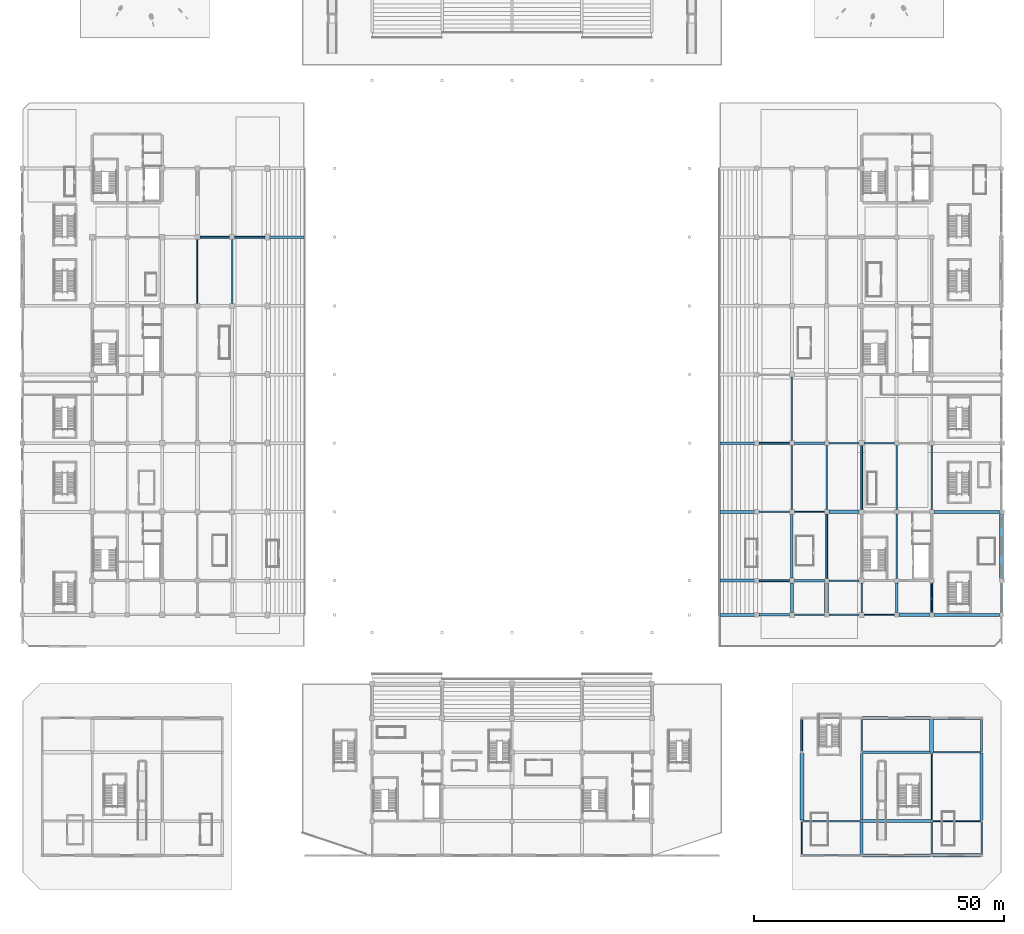
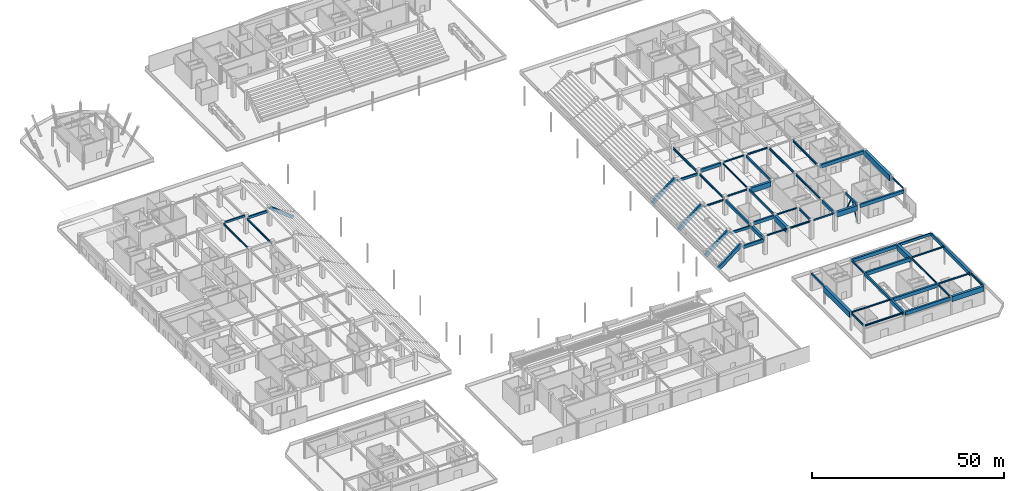
# One storey, part 24 of 73: 64 beams, 2 members.
"""IFC4 building model written with IfcOpenShell, lengths in metres."""

from ifc_helpers import new_model, si_unit, direction, frame, origin, origin_2d, place, context, subcontext, project, spatial, rectangle, hollow_rectangle, i_section, extrude, material, material_profile, profile_set, type_object, element, save


model = new_model("IFC4")

# Units and contexts
model_context = context("Model", 3, precision=1e-05, world=origin(), true_north=direction((0.0, 1.0)))
body_context = subcontext(model_context, "Body", "Model", "MODEL_VIEW")
ifc_project = project(units=[si_unit("LENGTHUNIT", "METRE"), si_unit("AREAUNIT", "SQUARE_METRE"), si_unit("VOLUMEUNIT", "CUBIC_METRE"), si_unit("PLANEANGLEUNIT", "RADIAN"), si_unit("MASSUNIT", "GRAM", prefix="KILO")], contexts=[model_context])

# Site, building, storey
site_placement = place(None, origin())
site = spatial("IfcSite", under=ifc_project, at=site_placement, CompositionType="ELEMENT")
building_placement = place(site_placement, origin())
building = spatial("IfcBuilding", under=site, at=building_placement, Name="Linyun Crest Stadium", CompositionType="ELEMENT")
storey_placement = place(building_placement, origin())
storey = spatial("IfcBuildingStorey", under=building, at=storey_placement, Name="L01", CompositionType="ELEMENT", Elevation=0.0)

# Beams
ifc_material_1 = material(Name="Concrete C40", Category="concrete")
ifc_material_profile_1 = material_profile(ifc_material_1, rectangle(XDim=0.35009765625, YDim=0.60009765625, at=origin_2d()), Name="RCB 600x350")
ifc_profile_set_1 = profile_set([ifc_material_profile_1], Name="Concrete C40")
beam_type_1 = type_object("IfcBeamType", Name="B01", PredefinedType="BEAM", material=ifc_profile_set_1)
beam_1_placement = place(storey_placement, frame((-62.5, 29.625, 5.47998046875), z_axis=(1.0, 0.0, 0.0), x_axis=(0.0, 1.0, 0.0)))
element("IfcBeam", 1, at=beam_1_placement, inside=storey, type_object=beam_type_1, Name="Frame beam B01 L01 126", PredefinedType="BEAM", context=body_context, shape_type="SweptSolid", body=[
    extrude(rectangle(XDim=0.35009765625, YDim=0.60009765625, at=origin_2d()), origin(), (0.0, 0.0, 1.0), 6.0),
])
ifc_material_2 = material(Name="Concrete C40", Category="concrete")
ifc_material_profile_2 = material_profile(ifc_material_2, rectangle(XDim=0.35009765625, YDim=0.64990234375, at=origin_2d()), Name="RCB 650x350")
ifc_profile_set_2 = profile_set([ifc_material_profile_2], Name="Concrete C40")
beam_type_2 = type_object("IfcBeamType", Name="B02", PredefinedType="BEAM", material=ifc_profile_set_2)
beam_2_placement = place(storey_placement, frame((63.0, -38.675048828125, 5.425048828125), z_axis=(0.0, 1.0, 0.0), x_axis=(-1.0, 0.0, 0.0)))
element("IfcBeam", 2, at=beam_2_placement, inside=storey, type_object=beam_type_2, Name="Frame beam B02 L01 520", PredefinedType="BEAM", context=body_context, shape_type="SweptSolid", body=[
    extrude(rectangle(XDim=0.35009765625, YDim=0.64990234375, at=origin_2d()), origin(), (0.0, 0.0, 1.0), 12.85009765625),
])
beam_3_placement = place(storey_placement, frame((70.0, -24.875, 5.425048828125), z_axis=(0.0, 1.0, 0.0), x_axis=(-1.0, 0.0, 0.0)))
element("IfcBeam", 3, at=beam_3_placement, inside=storey, type_object=beam_type_2, Name="Frame beam B02 L01 527", PredefinedType="BEAM", context=body_context, shape_type="SweptSolid", body=[
    extrude(rectangle(XDim=0.35009765625, YDim=0.64990234375, at=origin_2d()), origin(), (0.0, 0.0, 1.0), 12.75),
])
beam_4_placement = place(storey_placement, frame((84.0, -45.550048828125, 5.425048828125), z_axis=(0.0, 1.0, 0.0), x_axis=(-1.0, 0.0, 0.0)))
element("IfcBeam", 4, at=beam_4_placement, inside=storey, type_object=beam_type_2, Name="Frame beam B02 L01 537", PredefinedType="BEAM", context=body_context, shape_type="SweptSolid", body=[
    extrude(rectangle(XDim=0.35009765625, YDim=0.64990234375, at=origin_2d()), origin(), (0.0, 0.0, 1.0), 5.97509765625),
])
beam_5_placement = place(storey_placement, frame((58.0, -73.324951171875, 5.47509765625), z_axis=(0.0, 1.0, 0.0), x_axis=(-1.0, 0.0, 0.0)))
element("IfcBeam", 5, at=beam_5_placement, inside=storey, type_object=beam_type_2, Name="Frame beam B02 L01 1071", PredefinedType="BEAM", context=body_context, shape_type="SweptSolid", body=[
    extrude(rectangle(XDim=0.35009765625, YDim=0.64990234375, at=origin_2d()), origin(), (0.0, 0.0, 1.0), 6.5),
])
ifc_material_3 = material(Name="Concrete C40", Category="concrete")
ifc_material_profile_3 = material_profile(ifc_material_3, rectangle(XDim=0.39990234375, YDim=0.75, at=origin_2d()), Name="RCB 750x400")
ifc_profile_set_3 = profile_set([ifc_material_profile_3], Name="Concrete C40")
beam_type_3 = type_object("IfcBeamType", Name="B03", PredefinedType="BEAM", material=ifc_profile_set_3)
for number, where, z_axis, x_axis, name in (
    (6, (-55.5, 29.625, 4.554931640625), (1.0, 0.0, 0.0), (0.0, 1.0, 0.0), "Frame beam B03 L01 127"),
    (7, (49.449951171875, -39.125, 4.52490234375), (1.0, 0.0, 0.0), (0.0, 1.0, 0.0), "Frame beam B03 L01 481"),
    (8, (49.449951171875, -11.625, 4.52490234375), (1.0, 0.0, 0.0), (0.0, 1.0, 0.0), "Frame beam B03 L01 488"),
):
    element("IfcBeam", number, at=place(storey_placement, frame(where, z_axis=z_axis, x_axis=x_axis)), inside=storey, type_object=beam_type_3, Name=name, PredefinedType="BEAM", context=body_context, shape_type="SweptSolid", body=[
        extrude(rectangle(XDim=0.39990234375, YDim=0.75, at=origin_2d()), origin(), (0.0, 0.0, 1.0), 6.050048828125),
    ])
beam_6_placement = place(storey_placement, frame((84.199951171875, -66.625, 5.425048828125), z_axis=(1.0, 0.0, 0.0), x_axis=(0.0, 1.0, 0.0)))
element("IfcBeam", 9, at=beam_6_placement, inside=storey, type_object=beam_type_3, Name="Frame beam B03 L01 1056", PredefinedType="BEAM", context=body_context, shape_type="SweptSolid", body=[
    extrude(rectangle(XDim=0.39990234375, YDim=0.75, at=origin_2d()), origin(), (0.0, 0.0, 1.0), 9.60009765625),
])
ifc_material_4 = material(Name="Concrete C40", Category="concrete")
ifc_material_profile_4 = material_profile(ifc_material_4, rectangle(XDim=0.449951171875, YDim=0.85009765625, at=origin_2d()), Name="RCB 850x450")
ifc_profile_set_4 = profile_set([ifc_material_profile_4], Name="Concrete C40")
beam_type_4 = type_object("IfcBeamType", Name="B04", PredefinedType="BEAM", material=ifc_profile_set_4)
beam_7_placement = place(storey_placement, frame((56.0, -38.625, 4.47509765625), z_axis=(0.0, 1.0, 0.0), x_axis=(-1.0, 0.0, 0.0)))
element("IfcBeam", 10, at=beam_7_placement, inside=storey, type_object=beam_type_4, Name="Frame beam B04 L01 513", PredefinedType="BEAM", context=body_context, shape_type="SweptSolid", body=[
    extrude(rectangle(XDim=0.449951171875, YDim=0.85009765625, at=origin_2d()), origin(), (0.0, 0.0, 1.0), 12.75),
])
beam_8_placement = place(storey_placement, frame((77.0, -45.550048828125, 5.324951171875), z_axis=(0.0, 1.0, 0.0), x_axis=(-1.0, 0.0, 0.0)))
element("IfcBeam", 11, at=beam_8_placement, inside=storey, type_object=beam_type_4, Name="Frame beam B04 L01 530", PredefinedType="BEAM", context=body_context, shape_type="SweptSolid", body=[
    extrude(rectangle(XDim=0.449951171875, YDim=0.85009765625, at=origin_2d()), origin(), (0.0, 0.0, 1.0), 5.97509765625),
])
beam_9_placement = place(storey_placement, frame((70.0, -87.074951171875, 5.375), z_axis=(0.0, 1.0, 0.0), x_axis=(-1.0, 0.0, 0.0)))
element("IfcBeam", 12, at=beam_9_placement, inside=storey, type_object=beam_type_4, Name="Frame beam B04 L01 1073", PredefinedType="BEAM", context=body_context, shape_type="SweptSolid", body=[
    extrude(rectangle(XDim=0.449951171875, YDim=0.85009765625, at=origin_2d()), origin(), (0.0, 0.0, 1.0), 13.39990234375),
])
beam_10_placement = place(storey_placement, frame((94.0, -73.375, 5.375), z_axis=(0.0, 1.0, 0.0), x_axis=(-1.0, 0.0, 0.0)))
element("IfcBeam", 13, at=beam_10_placement, inside=storey, type_object=beam_type_4, Name="Frame beam B04 L01 1080", PredefinedType="BEAM", context=body_context, shape_type="SweptSolid", body=[
    extrude(rectangle(XDim=0.449951171875, YDim=0.85009765625, at=origin_2d()), origin(), (0.0, 0.0, 1.0), 6.550048828125),
])
ifc_material_5 = material(Name="Concrete C40", Category="concrete")
ifc_material_profile_5 = material_profile(ifc_material_5, rectangle(XDim=0.5, YDim=1.0, at=origin_2d()), Name="RCB 1000x500")
ifc_profile_set_5 = profile_set([ifc_material_profile_5], Name="Concrete C40")
beam_type_5 = type_object("IfcBeamType", Name="B05", PredefinedType="BEAM", material=ifc_profile_set_5)
for number, where, z_axis, x_axis, name in (
    (14, (49.449951171875, -46.0, 4.39990234375), (1.0, 0.0, 0.0), (0.0, 1.0, 0.0), "Frame beam B05 L01 475"),
    (15, (56.5, -39.125, 5.25), (1.0, 0.0, 0.0), (0.0, 1.0, 0.0), "Frame beam B05 L01 482"),
    (16, (56.5, -11.625, 5.25), (1.0, 0.0, 0.0), (0.0, 1.0, 0.0), "Frame beam B05 L01 489"),
):
    element("IfcBeam", number, at=place(storey_placement, frame(where, z_axis=z_axis, x_axis=x_axis)), inside=storey, type_object=beam_type_5, Name=name, PredefinedType="BEAM", context=body_context, shape_type="SweptSolid", body=[
        extrude(rectangle(XDim=0.5, YDim=1.0, at=origin_2d()), origin(), (0.0, 0.0, 1.0), 6.050048828125),
    ])
ifc_material_6 = material(Name="Steel Q355C", Category="steel")
ifc_material_profile_6 = material_profile(ifc_material_6, i_section(OverallWidth=0.300048828125, OverallDepth=0.389892578125, WebThickness=0.010009765625, FlangeThickness=0.01611328125, at=origin_2d()), Name="HM 390x300")
ifc_profile_set_6 = profile_set([ifc_material_profile_6], Name="Steel Q355C")
beam_type_6 = type_object("IfcBeamType", Name="B06", PredefinedType="BEAM", material=ifc_profile_set_6)
for number, where, z_axis, x_axis, name in (
    (17, (56.5, -46.0, 5.554931640625), (1.0, 0.0, 0.0), (0.0, 1.0, 0.0), "Frame beam B06 L01 476"),
    (18, (63.449951171875, -39.125, 5.554931640625), (1.0, 0.0, 0.0), (0.0, 1.0, 0.0), "Frame beam B06 L01 483"),
    (19, (63.449951171875, -11.625, 5.554931640625), (1.0, 0.0, 0.0), (0.0, 1.0, 0.0), "Frame beam B06 L01 490"),
):
    element("IfcBeam", number, at=place(storey_placement, frame(where, z_axis=z_axis, x_axis=x_axis)), inside=storey, type_object=beam_type_6, Name=name, PredefinedType="BEAM", context=body_context, shape_type="SweptSolid", body=[
        extrude(i_section(OverallWidth=0.300048828125, OverallDepth=0.389892578125, WebThickness=0.010009765625, FlangeThickness=0.01611328125, at=origin_2d()), origin(), (0.0, 0.0, 1.0), 6.050048828125),
    ])
beam_11_placement = place(storey_placement, frame((58.175048828125, -87.25, 5.60498046875), z_axis=(1.0, 0.0, 0.0), x_axis=(0.0, 1.0, 0.0)))
element("IfcBeam", 20, at=beam_11_placement, inside=storey, type_object=beam_type_6, Name="Frame beam B06 L01 1044", PredefinedType="BEAM", context=body_context, shape_type="SweptSolid", body=[
    extrude(i_section(OverallWidth=0.300048828125, OverallDepth=0.389892578125, WebThickness=0.010009765625, FlangeThickness=0.01611328125, at=origin_2d()), origin(), (0.0, 0.0, 1.0), 11.64990234375),
])
beam_12_placement = place(storey_placement, frame((84.175048828125, -73.5, 5.60498046875), z_axis=(1.0, 0.0, 0.0), x_axis=(0.0, 1.0, 0.0)))
element("IfcBeam", 21, at=beam_12_placement, inside=storey, type_object=beam_type_6, Name="Frame beam B06 L01 1051", PredefinedType="BEAM", context=body_context, shape_type="SweptSolid", body=[
    extrude(i_section(OverallWidth=0.300048828125, OverallDepth=0.389892578125, WebThickness=0.010009765625, FlangeThickness=0.01611328125, at=origin_2d()), origin(), (0.0, 0.0, 1.0), 9.699951171875),
])
ifc_material_7 = material(Name="Steel Q355C", Category="steel")
ifc_material_profile_7 = material_profile(ifc_material_7, i_section(OverallWidth=0.300048828125, OverallDepth=0.43994140625, WebThickness=0.010986328125, FlangeThickness=0.01806640625, at=origin_2d()), Name="HM 440x300")
ifc_profile_set_7 = profile_set([ifc_material_profile_7], Name="Steel Q355C")
beam_type_7 = type_object("IfcBeamType", Name="B07", PredefinedType="BEAM", material=ifc_profile_set_7)
beam_13_placement = place(storey_placement, frame((63.0, -24.925048828125, 5.530029296875), z_axis=(0.0, 1.0, 0.0), x_axis=(-1.0, 0.0, 0.0)))
element("IfcBeam", 22, at=beam_13_placement, inside=storey, type_object=beam_type_7, Name="Frame beam B07 L01 521", PredefinedType="BEAM", context=body_context, shape_type="SweptSolid", body=[
    extrude(i_section(OverallWidth=0.300048828125, OverallDepth=0.43994140625, WebThickness=0.010986328125, FlangeThickness=0.01806640625, at=origin_2d()), origin(), (0.0, 0.0, 1.0), 12.85009765625),
])
beam_14_placement = place(storey_placement, frame((84.0, -93.925048828125, 5.580078125), z_axis=(0.0, 1.0, 0.0), x_axis=(-1.0, 0.0, 0.0)))
element("IfcBeam", 23, at=beam_14_placement, inside=storey, type_object=beam_type_7, Name="Frame beam B07 L01 1075", PredefinedType="BEAM", context=body_context, shape_type="SweptSolid", body=[
    extrude(i_section(OverallWidth=0.300048828125, OverallDepth=0.43994140625, WebThickness=0.010986328125, FlangeThickness=0.01806640625, at=origin_2d()), origin(), (0.0, 0.0, 1.0), 6.5),
])
ifc_material_8 = material(Name="Steel Q355C", Category="steel")
ifc_material_profile_8 = material_profile(ifc_material_8, i_section(OverallWidth=0.300048828125, OverallDepth=0.488037109375, WebThickness=0.010986328125, FlangeThickness=0.01806640625, at=origin_2d()), Name="HM 488x300")
ifc_profile_set_8 = profile_set([ifc_material_profile_8], Name="Steel Q355C")
beam_type_8 = type_object("IfcBeamType", Name="B08", PredefinedType="BEAM", material=ifc_profile_set_8)
for number, where, z_axis, x_axis, name in (
    (24, (63.449951171875, -46.0, 5.506103515625), (1.0, 0.0, 0.0), (0.0, 1.0, 0.0), "Frame beam B08 L01 477"),
    (25, (49.449951171875, -25.375, 4.656005859375), (1.0, 0.0, 0.0), (0.0, 1.0, 0.0), "Frame beam B08 L01 484"),
    (26, (70.5, -11.625, 5.506103515625), (1.0, 0.0, 0.0), (0.0, 1.0, 0.0), "Frame beam B08 L01 491"),
):
    element("IfcBeam", number, at=place(storey_placement, frame(where, z_axis=z_axis, x_axis=x_axis)), inside=storey, type_object=beam_type_8, Name=name, PredefinedType="BEAM", context=body_context, shape_type="SweptSolid", body=[
        extrude(i_section(OverallWidth=0.300048828125, OverallDepth=0.488037109375, WebThickness=0.010986328125, FlangeThickness=0.01806640625, at=origin_2d()), origin(), (0.0, 0.0, 1.0), 6.050048828125),
    ])
beam_15_placement = place(storey_placement, frame((58.199951171875, -94.125, 5.555908203125), z_axis=(1.0, 0.0, 0.0), x_axis=(0.0, 1.0, 0.0)))
element("IfcBeam", 27, at=beam_15_placement, inside=storey, type_object=beam_type_8, Name="Frame beam B08 L01 1038", PredefinedType="BEAM", context=body_context, shape_type="SweptSolid", body=[
    extrude(i_section(OverallWidth=0.300048828125, OverallDepth=0.488037109375, WebThickness=0.010986328125, FlangeThickness=0.01806640625, at=origin_2d()), origin(), (0.0, 0.0, 1.0), 11.60009765625),
])
ifc_material_9 = material(Name="Steel Q355C", Category="steel")
ifc_material_profile_9 = material_profile(ifc_material_9, i_section(OverallWidth=0.300048828125, OverallDepth=0.587890625, WebThickness=0.011962890625, FlangeThickness=0.02001953125, at=origin_2d()), Name="HM 588x300")
ifc_profile_set_9 = profile_set([ifc_material_profile_9], Name="Steel Q355C")
beam_type_9 = type_object("IfcBeamType", Name="B09", PredefinedType="BEAM", material=ifc_profile_set_9)
for number, where, z_axis, x_axis, name in (
    (28, (-56.0, 16.375, 4.635986328125), (0.0, 1.0, 0.0), (-1.0, 0.0, 0.0), "Frame beam B09 L01 167"),
    (29, (56.0, -24.875, 4.60595703125), (0.0, 1.0, 0.0), (-1.0, 0.0, 0.0), "Frame beam B09 L01 514"),
):
    element("IfcBeam", number, at=place(storey_placement, frame(where, z_axis=z_axis, x_axis=x_axis)), inside=storey, type_object=beam_type_9, Name=name, PredefinedType="BEAM", context=body_context, shape_type="SweptSolid", body=[
        extrude(i_section(OverallWidth=0.300048828125, OverallDepth=0.587890625, WebThickness=0.011962890625, FlangeThickness=0.02001953125, at=origin_2d()), origin(), (0.0, 0.0, 1.0), 12.75),
    ])
for number, where, z_axis, x_axis, name in (
    (30, (77.0, -38.675048828125, 5.4560546875), (0.0, 1.0, 0.0), (-1.0, 0.0, 0.0), "Frame beam B09 L01 531"),
    (31, (84.0, -24.925048828125, 5.4560546875), (0.0, 1.0, 0.0), (-1.0, 0.0, 0.0), "Frame beam B09 L01 538"),
):
    element("IfcBeam", number, at=place(storey_placement, frame(where, z_axis=z_axis, x_axis=x_axis)), inside=storey, type_object=beam_type_9, Name=name, PredefinedType="BEAM", context=body_context, shape_type="SweptSolid", body=[
        extrude(i_section(OverallWidth=0.300048828125, OverallDepth=0.587890625, WebThickness=0.011962890625, FlangeThickness=0.02001953125, at=origin_2d()), origin(), (0.0, 0.0, 1.0), 12.85009765625),
    ])
beam_16_placement = place(storey_placement, frame((70.0, -73.324951171875, 5.506103515625), z_axis=(0.0, 1.0, 0.0), x_axis=(-1.0, 0.0, 0.0)))
element("IfcBeam", 32, at=beam_16_placement, inside=storey, type_object=beam_type_9, Name="Frame beam B09 L01 1074", PredefinedType="BEAM", context=body_context, shape_type="SweptSolid", body=[
    extrude(i_section(OverallWidth=0.300048828125, OverallDepth=0.587890625, WebThickness=0.011962890625, FlangeThickness=0.02001953125, at=origin_2d()), origin(), (0.0, 0.0, 1.0), 6.5),
])
ifc_material_10 = material(Name="Steel Q355C", Category="steel")
ifc_material_profile_10 = material_profile(ifc_material_10, i_section(OverallWidth=0.199951171875, OverallDepth=0.5, WebThickness=0.010009765625, FlangeThickness=0.01611328125, at=origin_2d()), Name="HN 500x200")
ifc_profile_set_10 = profile_set([ifc_material_profile_10], Name="Steel Q355C")
beam_type_10 = type_object("IfcBeamType", Name="B10", PredefinedType="BEAM", material=ifc_profile_set_10)
for number, where, z_axis, x_axis, name in (
    (33, (70.5, -46.0, 5.5), (1.0, 0.0, 0.0), (0.0, 1.0, 0.0), "Frame beam B10 L01 478"),
    (34, (56.5, -25.375, 5.5), (1.0, 0.0, 0.0), (0.0, 1.0, 0.0), "Frame beam B10 L01 485"),
):
    element("IfcBeam", number, at=place(storey_placement, frame(where, z_axis=z_axis, x_axis=x_axis)), inside=storey, type_object=beam_type_10, Name=name, PredefinedType="BEAM", context=body_context, shape_type="SweptSolid", body=[
        extrude(i_section(OverallWidth=0.199951171875, OverallDepth=0.5, WebThickness=0.010009765625, FlangeThickness=0.01611328125, at=origin_2d()), origin(), (0.0, 0.0, 1.0), 6.050048828125),
    ])
beam_17_placement = place(storey_placement, frame((84.175048828125, -87.25, 5.550048828125), z_axis=(1.0, 0.0, 0.0), x_axis=(0.0, 1.0, 0.0)))
element("IfcBeam", 35, at=beam_17_placement, inside=storey, type_object=beam_type_10, Name="Frame beam B10 L01 1046", PredefinedType="BEAM", context=body_context, shape_type="SweptSolid", body=[
    extrude(i_section(OverallWidth=0.199951171875, OverallDepth=0.5, WebThickness=0.010009765625, FlangeThickness=0.01611328125, at=origin_2d()), origin(), (0.0, 0.0, 1.0), 9.699951171875),
])
ifc_material_11 = material(Name="Steel Q355C", Category="steel")
ifc_material_profile_11 = material_profile(ifc_material_11, i_section(OverallWidth=0.199951171875, OverallDepth=0.60009765625, WebThickness=0.010986328125, FlangeThickness=0.01708984375, at=origin_2d()), Name="HN 600x200")
ifc_profile_set_11 = profile_set([ifc_material_profile_11], Name="Steel Q355C")
beam_type_11 = type_object("IfcBeamType", Name="B11", PredefinedType="BEAM", material=ifc_profile_set_11)
beam_18_placement = place(storey_placement, frame((-63.0, 16.375, 5.47998046875), z_axis=(0.0, 1.0, 0.0), x_axis=(-1.0, 0.0, 0.0)))
element("IfcBeam", 36, at=beam_18_placement, inside=storey, type_object=beam_type_11, Name="Frame beam B11 L01 160", PredefinedType="BEAM", context=body_context, shape_type="SweptSolid", body=[
    extrude(i_section(OverallWidth=0.199951171875, OverallDepth=0.60009765625, WebThickness=0.010986328125, FlangeThickness=0.01708984375, at=origin_2d()), origin(), (0.0, 0.0, 1.0), 12.75),
])
beam_19_placement = place(storey_placement, frame((98.0, -45.550048828125, 5.449951171875), z_axis=(0.0, 1.0, 0.0), x_axis=(-1.0, 0.0, 0.0)))
element("IfcBeam", 37, at=beam_19_placement, inside=storey, type_object=beam_type_11, Name="Frame beam B11 L01 541", PredefinedType="BEAM", context=body_context, shape_type="SweptSolid", body=[
    extrude(i_section(OverallWidth=0.199951171875, OverallDepth=0.60009765625, WebThickness=0.010986328125, FlangeThickness=0.01708984375, at=origin_2d()), origin(), (0.0, 0.0, 1.0), 5.97509765625),
])
beam_20_placement = place(storey_placement, frame((58.0, -93.925048828125, 5.5), z_axis=(0.0, 1.0, 0.0), x_axis=(-1.0, 0.0, 0.0)))
element("IfcBeam", 38, at=beam_20_placement, inside=storey, type_object=beam_type_11, Name="Frame beam B11 L01 1069", PredefinedType="BEAM", context=body_context, shape_type="SweptSolid", body=[
    extrude(i_section(OverallWidth=0.199951171875, OverallDepth=0.60009765625, WebThickness=0.010986328125, FlangeThickness=0.01708984375, at=origin_2d()), origin(), (0.0, 0.0, 1.0), 6.5),
])
beam_21_placement = place(storey_placement, frame((84.0, -87.074951171875, 5.5), z_axis=(0.0, 1.0, 0.0), x_axis=(-1.0, 0.0, 0.0)))
element("IfcBeam", 39, at=beam_21_placement, inside=storey, type_object=beam_type_11, Name="Frame beam B11 L01 1076", PredefinedType="BEAM", context=body_context, shape_type="SweptSolid", body=[
    extrude(i_section(OverallWidth=0.199951171875, OverallDepth=0.60009765625, WebThickness=0.010986328125, FlangeThickness=0.01708984375, at=origin_2d()), origin(), (0.0, 0.0, 1.0), 13.39990234375),
])
ifc_material_12 = material(Name="Steel Q355C", Category="steel")
ifc_material_profile_12 = material_profile(ifc_material_12, i_section(OverallWidth=0.300048828125, OverallDepth=0.699951171875, WebThickness=0.012939453125, FlangeThickness=0.02392578125, at=origin_2d()), Name="HN 700x300")
ifc_profile_set_12 = profile_set([ifc_material_profile_12], Name="Steel Q355C")
beam_type_12 = type_object("IfcBeamType", Name="B12", PredefinedType="BEAM", material=ifc_profile_set_12)
beam_22_placement = place(storey_placement, frame((56.0, -11.125, 4.550048828125), z_axis=(0.0, 1.0, 0.0), x_axis=(-1.0, 0.0, 0.0)))
element("IfcBeam", 40, at=beam_22_placement, inside=storey, type_object=beam_type_12, Name="Frame beam B12 L01 515", PredefinedType="BEAM", context=body_context, shape_type="SweptSolid", body=[
    extrude(i_section(OverallWidth=0.300048828125, OverallDepth=0.699951171875, WebThickness=0.012939453125, FlangeThickness=0.02392578125, at=origin_2d()), origin(), (0.0, 0.0, 1.0), 12.75),
])
beam_23_placement = place(storey_placement, frame((70.0, -45.5, 5.39990234375), z_axis=(0.0, 1.0, 0.0), x_axis=(-1.0, 0.0, 0.0)))
element("IfcBeam", 41, at=beam_23_placement, inside=storey, type_object=beam_type_12, Name="Frame beam B12 L01 526", PredefinedType="BEAM", context=body_context, shape_type="SweptSolid", body=[
    extrude(i_section(OverallWidth=0.300048828125, OverallDepth=0.699951171875, WebThickness=0.012939453125, FlangeThickness=0.02392578125, at=origin_2d()), origin(), (0.0, 0.0, 1.0), 5.875),
])
beam_24_placement = place(storey_placement, frame((77.0, -24.925048828125, 5.39990234375), z_axis=(0.0, 1.0, 0.0), x_axis=(-1.0, 0.0, 0.0)))
element("IfcBeam", 42, at=beam_24_placement, inside=storey, type_object=beam_type_12, Name="Frame beam B12 L01 532", PredefinedType="BEAM", context=body_context, shape_type="SweptSolid", body=[
    extrude(i_section(OverallWidth=0.300048828125, OverallDepth=0.699951171875, WebThickness=0.012939453125, FlangeThickness=0.02392578125, at=origin_2d()), origin(), (0.0, 0.0, 1.0), 12.85009765625),
])
beam_25_placement = place(storey_placement, frame((94.0, -93.925048828125, 5.449951171875), z_axis=(0.0, 1.0, 0.0), x_axis=(-1.0, 0.0, 0.0)))
element("IfcBeam", 43, at=beam_25_placement, inside=storey, type_object=beam_type_12, Name="Frame beam B12 L01 1078", PredefinedType="BEAM", context=body_context, shape_type="SweptSolid", body=[
    extrude(i_section(OverallWidth=0.300048828125, OverallDepth=0.699951171875, WebThickness=0.012939453125, FlangeThickness=0.02392578125, at=origin_2d()), origin(), (0.0, 0.0, 1.0), 6.550048828125),
])
ifc_material_13 = material(Name="Concrete C50", Category="concrete")
ifc_material_profile_13 = material_profile(ifc_material_13, rectangle(XDim=0.699951171875, YDim=1.60009765625, at=origin_2d()), Name="RCB 1600x700")
ifc_profile_set_13 = profile_set([ifc_material_profile_13], Name="Concrete C50")
beam_type_13 = type_object("IfcBeamType", Name="B13", PredefinedType="BEAM", material=ifc_profile_set_13)
beam_26_placement = place(storey_placement, frame((77.449951171875, -46.0, 4.949951171875), z_axis=(1.0, 0.0, 0.0), x_axis=(0.0, 1.0, 0.0)))
element("IfcBeam", 44, at=beam_26_placement, inside=storey, type_object=beam_type_13, Name="Frame beam B13 L01 479", PredefinedType="BEAM", context=body_context, shape_type="SweptSolid", body=[
    extrude(rectangle(XDim=0.699951171875, YDim=1.60009765625, at=origin_2d()), origin(), (0.0, 0.0, 1.0), 6.10009765625),
])
beam_27_placement = place(storey_placement, frame((63.449951171875, -25.375, 4.949951171875), z_axis=(1.0, 0.0, 0.0), x_axis=(0.0, 1.0, 0.0)))
element("IfcBeam", 45, at=beam_27_placement, inside=storey, type_object=beam_type_13, Name="Frame beam B13 L01 486", PredefinedType="BEAM", context=body_context, shape_type="SweptSolid", body=[
    extrude(rectangle(XDim=0.699951171875, YDim=1.60009765625, at=origin_2d()), origin(), (0.0, 0.0, 1.0), 6.050048828125),
])
beam_28_placement = place(storey_placement, frame((84.199951171875, -94.125, 5.0), z_axis=(1.0, 0.0, 0.0), x_axis=(0.0, 1.0, 0.0)))
element("IfcBeam", 46, at=beam_28_placement, inside=storey, type_object=beam_type_13, Name="Frame beam B13 L01 1040", PredefinedType="BEAM", context=body_context, shape_type="SweptSolid", body=[
    extrude(rectangle(XDim=0.699951171875, YDim=1.60009765625, at=origin_2d()), origin(), (0.0, 0.0, 1.0), 9.60009765625),
])
ifc_material_14 = material(Name="Concrete C50", Category="concrete")
ifc_material_profile_14 = material_profile(ifc_material_14, rectangle(XDim=0.800048828125, YDim=1.800048828125, at=origin_2d()), Name="RCB 1800x800")
ifc_profile_set_14 = profile_set([ifc_material_profile_14], Name="Concrete C50")
beam_type_14 = type_object("IfcBeamType", Name="B14", PredefinedType="BEAM", material=ifc_profile_set_14)
beam_29_placement = place(storey_placement, frame((63.0, -45.550048828125, 4.85009765625), z_axis=(0.0, 1.0, 0.0), x_axis=(-1.0, 0.0, 0.0)))
element("IfcBeam", 47, at=beam_29_placement, inside=storey, type_object=beam_type_14, Name="Frame beam B14 L01 519", PredefinedType="BEAM", context=body_context, shape_type="SweptSolid", body=[
    extrude(rectangle(XDim=0.800048828125, YDim=1.800048828125, at=origin_2d()), origin(), (0.0, 0.0, 1.0), 5.97509765625),
])
beam_30_placement = place(storey_placement, frame((98.0, -38.675048828125, 4.85009765625), z_axis=(0.0, 1.0, 0.0), x_axis=(-1.0, 0.0, 0.0)))
element("IfcBeam", 48, at=beam_30_placement, inside=storey, type_object=beam_type_14, Name="Frame beam B14 L01 542", PredefinedType="BEAM", context=body_context, shape_type="SweptSolid", body=[
    extrude(rectangle(XDim=0.800048828125, YDim=1.800048828125, at=origin_2d()), origin(), (0.0, 0.0, 1.0), 12.85009765625),
])
beam_31_placement = place(storey_placement, frame((58.0, -87.074951171875, 4.89990234375), z_axis=(0.0, 1.0, 0.0), x_axis=(-1.0, 0.0, 0.0)))
element("IfcBeam", 49, at=beam_31_placement, inside=storey, type_object=beam_type_14, Name="Frame beam B14 L01 1070", PredefinedType="BEAM", context=body_context, shape_type="SweptSolid", body=[
    extrude(rectangle(XDim=0.800048828125, YDim=1.800048828125, at=origin_2d()), origin(), (0.0, 0.0, 1.0), 13.39990234375),
])
beam_32_placement = place(storey_placement, frame((84.0, -73.324951171875, 4.89990234375), z_axis=(0.0, 1.0, 0.0), x_axis=(-1.0, 0.0, 0.0)))
element("IfcBeam", 50, at=beam_32_placement, inside=storey, type_object=beam_type_14, Name="Frame beam B14 L01 1077", PredefinedType="BEAM", context=body_context, shape_type="SweptSolid", body=[
    extrude(rectangle(XDim=0.800048828125, YDim=1.800048828125, at=origin_2d()), origin(), (0.0, 0.0, 1.0), 6.5),
])

# Members
ifc_material_15 = material(Name="Steel Q355C", Category="steel")
ifc_material_profile_15 = material_profile(ifc_material_15, hollow_rectangle(XDim=0.199951171875, YDim=0.300048828125, WallThickness=0.011962890625, at=origin_2d()), Name="RHS 300x200x12")
ifc_profile_set_15 = profile_set([ifc_material_profile_15], Name="Steel Q355C")
member_type = type_object("IfcMemberType", Name="BR03", PredefinedType="BRACE", material=ifc_profile_set_15)
member_1_placement = place(storey_placement, frame((84.0, -45.550048828125, 0.0), z_axis=(0.0, 0.462693414399, 0.886518360933), x_axis=(-1.0, 0.0, 0.0)))
element("IfcMember", 51, at=member_1_placement, inside=storey, type_object=member_type, Name="Frame brace BR03 L01 9", PredefinedType="BRACE", context=body_context, shape_type="SweptSolid", body=[
    extrude(hollow_rectangle(XDim=0.199951171875, YDim=0.300048828125, WallThickness=0.011962890625, at=origin_2d()), origin(), (0.0, 0.0, 1.0), 6.155517578125),
])
member_2_placement = place(storey_placement, frame((84.0, -39.574951171875, 0.0), z_axis=(0.0, -0.462568717796, 0.886583431673), x_axis=(1.0, 0.0, 0.0)))
element("IfcMember", 52, at=member_2_placement, inside=storey, type_object=member_type, Name="Frame brace BR03 L01 10", PredefinedType="BRACE", context=body_context, shape_type="SweptSolid", body=[
    extrude(hollow_rectangle(XDim=0.199951171875, YDim=0.300048828125, WallThickness=0.011962890625, at=origin_2d()), origin(), (0.0, 0.0, 1.0), 6.155029296875),
])

# Beams
ifc_material_16 = material(Name="Precast concrete C50", Category="concrete")
ifc_material_profile_16 = material_profile(ifc_material_16, rectangle(XDim=0.5, YDim=0.949951171875, at=origin_2d()), Name="PCR 950x500")
ifc_profile_set_16 = profile_set([ifc_material_profile_16], Name="Precast concrete C50")
beam_type_15 = type_object("IfcBeamType", Name="RB01", PredefinedType="USERDEFINED", material=ifc_profile_set_16)
beam_33_placement = place(storey_placement, frame((-42.0, 29.625, 0.0), z_axis=(-0.785226144733, 0.0, 0.619209093625), x_axis=(0.0, -1.0, 0.0)))
element("IfcBeam", 53, at=beam_33_placement, inside=storey, type_object=beam_type_15, Name="Precast raker beam RB01 V1 49", ObjectType="RAKER", PredefinedType="USERDEFINED", context=body_context, shape_type="SweptSolid", body=[
    extrude(rectangle(XDim=0.5, YDim=0.949951171875, at=origin_2d()), origin(), (0.0, 0.0, 1.0), 8.91455078125),
])
ifc_material_17 = material(Name="Precast concrete C50", Category="concrete")
ifc_material_profile_17 = material_profile(ifc_material_17, rectangle(XDim=0.550048828125, YDim=1.14990234375, at=origin_2d()), Name="PCR 1150x550")
ifc_profile_set_17 = profile_set([ifc_material_profile_17], Name="Precast concrete C50")
beam_type_16 = type_object("IfcBeamType", Name="RB02", PredefinedType="USERDEFINED", material=ifc_profile_set_17)
for number, where, z_axis, x_axis, name in (
    (54, (42.0, -46.0, 0.0), (0.785226144733, 0.0, 0.619209093625), (0.0, 1.0, 0.0), "Precast raker beam RB02 V2 5"),
    (55, (42.0, -39.125, 0.0), (0.785226144733, 0.0, 0.619209093625), (0.0, 1.0, 0.0), "Precast raker beam RB02 V2 13"),
    (56, (42.0, -25.375, 0.0), (0.785226144733, 0.0, 0.619209093625), (0.0, 1.0, 0.0), "Precast raker beam RB02 V2 21"),
    (57, (42.0, -11.625, 0.0), (0.785226144733, 0.0, 0.619209093625), (0.0, 1.0, 0.0), "Precast raker beam RB02 V2 29"),
):
    element("IfcBeam", number, at=place(storey_placement, frame(where, z_axis=z_axis, x_axis=x_axis)), inside=storey, type_object=beam_type_16, Name=name, ObjectType="RAKER", PredefinedType="USERDEFINED", context=body_context, shape_type="SweptSolid", body=[
        extrude(rectangle(XDim=0.550048828125, YDim=1.14990234375, at=origin_2d()), origin(), (0.0, 0.0, 1.0), 8.91455078125),
    ])
ifc_material_18 = material(Name="Concrete C50", Category="concrete")
ifc_material_profile_18 = material_profile(ifc_material_18, rectangle(XDim=0.550048828125, YDim=1.10009765625, at=origin_2d()), Name="RCB 1100x550")
ifc_profile_set_18 = profile_set([ifc_material_profile_18], Name="Concrete C50")
beam_type_17 = type_object("IfcBeamType", Name="TB01", PredefinedType="USERDEFINED", material=ifc_profile_set_18)
for number, where, z_axis, x_axis, name in (
    (58, (84.449951171875, -46.0, 5.199951171875), (1.0, 0.0, 0.0), (0.0, 1.0, 0.0), "Frame beam TB01 L01 480"),
    (59, (84.449951171875, -25.375, 5.199951171875), (1.0, 0.0, 0.0), (0.0, 1.0, 0.0), "Frame beam TB01 L01 487"),
):
    element("IfcBeam", number, at=place(storey_placement, frame(where, z_axis=z_axis, x_axis=x_axis)), inside=storey, type_object=beam_type_17, Name=name, ObjectType="GIRDER", PredefinedType="USERDEFINED", context=body_context, shape_type="SweptSolid", body=[
        extrude(rectangle(XDim=0.550048828125, YDim=1.10009765625, at=origin_2d()), origin(), (0.0, 0.0, 1.0), 13.10009765625),
    ])
beam_34_placement = place(storey_placement, frame((70.199951171875, -94.125, 5.25), z_axis=(1.0, 0.0, 0.0), x_axis=(0.0, 1.0, 0.0)))
element("IfcBeam", 60, at=beam_34_placement, inside=storey, type_object=beam_type_17, Name="Frame beam TB01 L01 1039", ObjectType="GIRDER", PredefinedType="USERDEFINED", context=body_context, shape_type="SweptSolid", body=[
    extrude(rectangle(XDim=0.550048828125, YDim=1.10009765625, at=origin_2d()), origin(), (0.0, 0.0, 1.0), 13.60009765625),
])
for number, where, z_axis, x_axis, name in (
    (61, (70.175048828125, -87.25, 5.25), (1.0, 0.0, 0.0), (0.0, 1.0, 0.0), "Frame beam TB01 L01 1045"),
    (62, (70.175048828125, -73.5, 5.25), (1.0, 0.0, 0.0), (0.0, 1.0, 0.0), "Frame beam TB01 L01 1050"),
):
    element("IfcBeam", number, at=place(storey_placement, frame(where, z_axis=z_axis, x_axis=x_axis)), inside=storey, type_object=beam_type_17, Name=name, ObjectType="GIRDER", PredefinedType="USERDEFINED", context=body_context, shape_type="SweptSolid", body=[
        extrude(rectangle(XDim=0.550048828125, YDim=1.10009765625, at=origin_2d()), origin(), (0.0, 0.0, 1.0), 13.64990234375),
    ])
beam_35_placement = place(storey_placement, frame((70.199951171875, -66.625, 5.25), z_axis=(1.0, 0.0, 0.0), x_axis=(0.0, 1.0, 0.0)))
element("IfcBeam", 63, at=beam_35_placement, inside=storey, type_object=beam_type_17, Name="Frame beam TB01 L01 1055", ObjectType="GIRDER", PredefinedType="USERDEFINED", context=body_context, shape_type="SweptSolid", body=[
    extrude(rectangle(XDim=0.550048828125, YDim=1.10009765625, at=origin_2d()), origin(), (0.0, 0.0, 1.0), 13.60009765625),
])
ifc_material_19 = material(Name="Concrete C50", Category="concrete")
ifc_material_profile_19 = material_profile(ifc_material_19, rectangle(XDim=0.60009765625, YDim=1.199951171875, at=origin_2d()), Name="RCB 1200x600")
ifc_profile_set_19 = profile_set([ifc_material_profile_19], Name="Concrete C50")
beam_type_18 = type_object("IfcBeamType", Name="TB02", PredefinedType="USERDEFINED", material=ifc_profile_set_19)
beam_36_placement = place(storey_placement, frame((56.0, -45.5, 4.300048828125), z_axis=(0.0, 1.0, 0.0), x_axis=(-1.0, 0.0, 0.0)))
element("IfcBeam", 64, at=beam_36_placement, inside=storey, type_object=beam_type_18, Name="Frame beam TB02 L01 512", ObjectType="GIRDER", PredefinedType="USERDEFINED", context=body_context, shape_type="SweptSolid", body=[
    extrude(rectangle(XDim=0.60009765625, YDim=1.199951171875, at=origin_2d()), origin(), (0.0, 0.0, 1.0), 5.875),
])
beam_37_placement = place(storey_placement, frame((70.0, -93.925048828125, 5.199951171875), z_axis=(0.0, 1.0, 0.0), x_axis=(-1.0, 0.0, 0.0)))
element("IfcBeam", 65, at=beam_37_placement, inside=storey, type_object=beam_type_18, Name="Frame beam TB02 L01 1072", ObjectType="GIRDER", PredefinedType="USERDEFINED", context=body_context, shape_type="SweptSolid", body=[
    extrude(rectangle(XDim=0.60009765625, YDim=1.199951171875, at=origin_2d()), origin(), (0.0, 0.0, 1.0), 6.5),
])
beam_38_placement = place(storey_placement, frame((94.0, -87.125, 5.199951171875), z_axis=(0.0, 1.0, 0.0), x_axis=(-1.0, 0.0, 0.0)))
element("IfcBeam", 66, at=beam_38_placement, inside=storey, type_object=beam_type_18, Name="Frame beam TB02 L01 1079", ObjectType="GIRDER", PredefinedType="USERDEFINED", context=body_context, shape_type="SweptSolid", body=[
    extrude(rectangle(XDim=0.60009765625, YDim=1.199951171875, at=origin_2d()), origin(), (0.0, 0.0, 1.0), 13.5),
])

save(model, "model.ifc")
